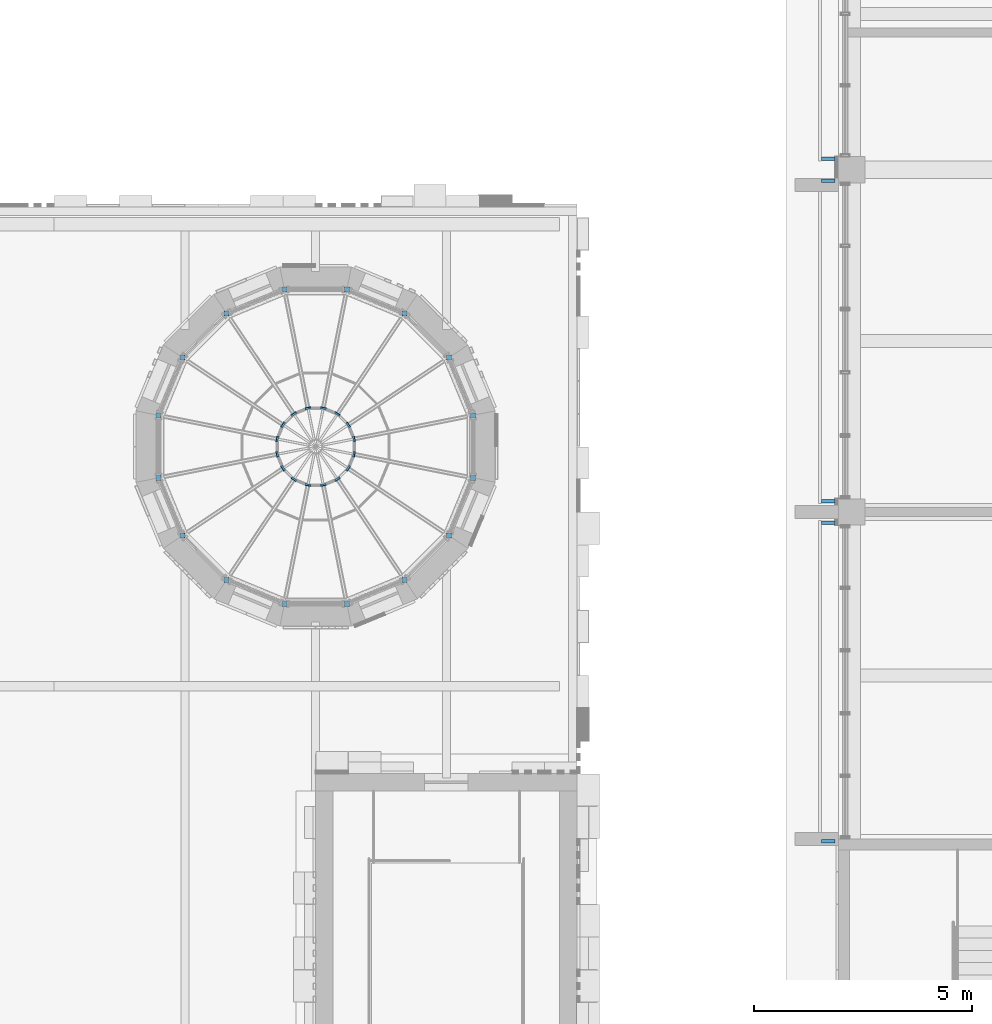
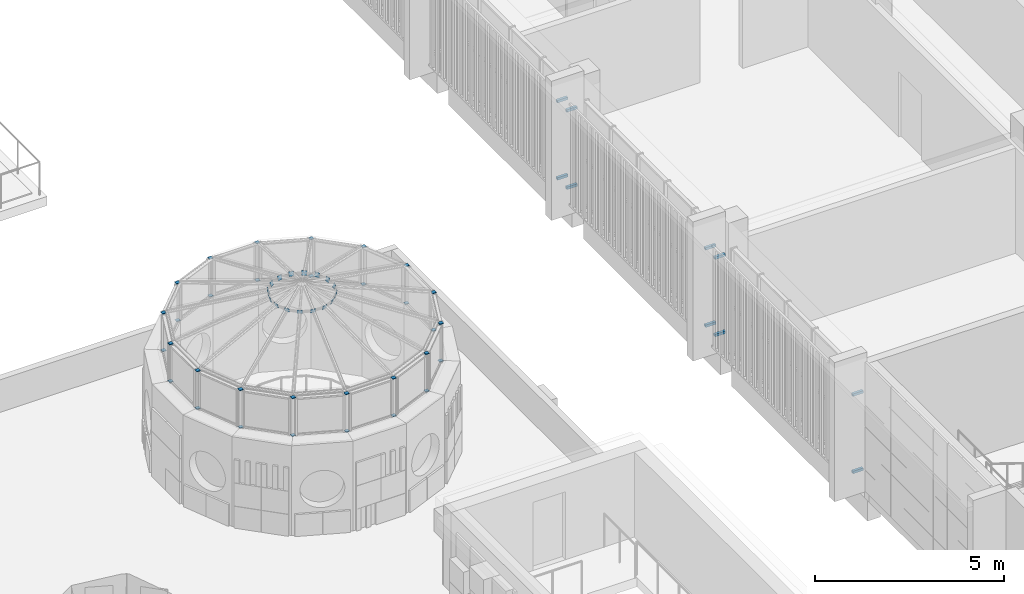
# One storey, part 61 of 98: 58 discrete accessories.
"""IFC4 building model written with IfcOpenShell, lengths in metres."""

from ifc_helpers import new_model, si_unit, direction, frame, origin, origin_2d, place, context, subcontext, project, spatial, rectangle, extrude, material, material_profile, profile_set, type_object, element, save


model = new_model("IFC4")

# Units and contexts
model_context = context("Model", 3, precision=1e-05, world=origin(), true_north=direction((0.0, 1.0)))
body_context = subcontext(model_context, "Body", "Model", "MODEL_VIEW")
ifc_project = project(units=[si_unit("LENGTHUNIT", "METRE"), si_unit("AREAUNIT", "SQUARE_METRE"), si_unit("VOLUMEUNIT", "CUBIC_METRE"), si_unit("PLANEANGLEUNIT", "RADIAN"), si_unit("MASSUNIT", "GRAM", prefix="KILO")], contexts=[model_context])

# Site, building, storey
site_placement = place(None, origin())
site = spatial("IfcSite", under=ifc_project, at=site_placement, CompositionType="ELEMENT")
building_placement = place(site_placement, origin())
building = spatial("IfcBuilding", under=site, at=building_placement, Name="Sun Court Science Centre", CompositionType="ELEMENT")
storey_placement = place(building_placement, frame((0.0, 0.0, 15.75)))
storey = spatial("IfcBuildingStorey", under=building, at=storey_placement, Name="L03", CompositionType="ELEMENT", Elevation=15.75)

# Discrete accessories
ifc_material_1 = material(Name="Steel S355", Category="steel")
discrete_accessory_type_1 = type_object("IfcDiscreteAccessoryType", Name="Hollow section end plate 20", PredefinedType="BRACKET", material=ifc_material_1)
for number, where, z_axis, x_axis, name in (
    (1, (69.607666015625, 23.217529296875, 3.030029296875), (0.0, 0.0, 1.0), (1.0, 0.0, 0.0), "Cone 6 clerestory post 1 end plate"),
    (2, (69.607666015625, 23.217529296875, 4.25), (0.0, 0.0, 1.0), (1.0, 0.0, 0.0), "Cone 6 clerestory post 1 end plate"),
    (3, (69.058349609375, 24.54345703125, 3.030029296875), (0.0, 0.0, 1.0), (1.0, 0.0, 0.0), "Cone 6 clerestory post 2 end plate"),
    (4, (69.058349609375, 24.54345703125, 4.25), (0.0, 0.0, 1.0), (1.0, 0.0, 0.0), "Cone 6 clerestory post 2 end plate"),
    (5, (68.04345703125, 25.558349609375, 3.030029296875), (0.0, 0.0, 1.0), (1.0, 0.0, 0.0), "Cone 6 clerestory post 3 end plate"),
    (6, (68.04345703125, 25.558349609375, 4.25), (0.0, 0.0, 1.0), (1.0, 0.0, 0.0), "Cone 6 clerestory post 3 end plate"),
    (7, (66.717529296875, 26.107666015625, 3.030029296875), (0.0, 0.0, 1.0), (1.0, 0.0, 0.0), "Cone 6 clerestory post 4 end plate"),
    (8, (66.717529296875, 26.107666015625, 4.25), (0.0, 0.0, 1.0), (1.0, 0.0, 0.0), "Cone 6 clerestory post 4 end plate"),
    (9, (65.282470703125, 26.107666015625, 3.030029296875), (0.0, 0.0, 1.0), (1.0, 0.0, 0.0), "Cone 6 clerestory post 5 end plate"),
    (10, (65.282470703125, 26.107666015625, 4.25), (0.0, 0.0, 1.0), (1.0, 0.0, 0.0), "Cone 6 clerestory post 5 end plate"),
    (11, (63.95654296875, 25.558349609375, 3.030029296875), (0.0, 0.0, 1.0), (1.0, 0.0, 0.0), "Cone 6 clerestory post 6 end plate"),
    (12, (63.95654296875, 25.558349609375, 4.25), (0.0, 0.0, 1.0), (1.0, 0.0, 0.0), "Cone 6 clerestory post 6 end plate"),
    (13, (62.941650390625, 24.54345703125, 3.030029296875), (0.0, 0.0, 1.0), (1.0, 0.0, 0.0), "Cone 6 clerestory post 7 end plate"),
    (14, (62.941650390625, 24.54345703125, 4.25), (0.0, 0.0, 1.0), (1.0, 0.0, 0.0), "Cone 6 clerestory post 7 end plate"),
    (15, (62.392333984375, 23.217529296875, 3.030029296875), (0.0, 0.0, 1.0), (1.0, 0.0, 0.0), "Cone 6 clerestory post 8 end plate"),
    (16, (62.392333984375, 23.217529296875, 4.25), (0.0, 0.0, 1.0), (1.0, 0.0, 0.0), "Cone 6 clerestory post 8 end plate"),
    (17, (62.392333984375, 21.782470703125, 3.030029296875), (0.0, 0.0, 1.0), (1.0, 0.0, 0.0), "Cone 6 clerestory post 9 end plate"),
    (18, (62.392333984375, 21.782470703125, 4.25), (0.0, 0.0, 1.0), (1.0, 0.0, 0.0), "Cone 6 clerestory post 9 end plate"),
    (19, (62.941650390625, 20.45654296875, 3.030029296875), (0.0, 0.0, 1.0), (1.0, 0.0, 0.0), "Cone 6 clerestory post 10 end plate"),
    (20, (62.941650390625, 20.45654296875, 4.25), (0.0, 0.0, 1.0), (1.0, 0.0, 0.0), "Cone 6 clerestory post 10 end plate"),
    (21, (63.95654296875, 19.441650390625, 3.030029296875), (0.0, 0.0, 1.0), (1.0, 0.0, 0.0), "Cone 6 clerestory post 11 end plate"),
    (22, (63.95654296875, 19.441650390625, 4.25), (0.0, 0.0, 1.0), (1.0, 0.0, 0.0), "Cone 6 clerestory post 11 end plate"),
    (23, (65.282470703125, 18.892333984375, 3.030029296875), (0.0, 0.0, 1.0), (1.0, 0.0, 0.0), "Cone 6 clerestory post 12 end plate"),
    (24, (65.282470703125, 18.892333984375, 4.25), (0.0, 0.0, 1.0), (1.0, 0.0, 0.0), "Cone 6 clerestory post 12 end plate"),
    (25, (66.717529296875, 18.892333984375, 3.030029296875), (0.0, 0.0, 1.0), (1.0, 0.0, 0.0), "Cone 6 clerestory post 13 end plate"),
    (26, (66.717529296875, 18.892333984375, 4.25), (0.0, 0.0, 1.0), (1.0, 0.0, 0.0), "Cone 6 clerestory post 13 end plate"),
    (27, (68.04345703125, 19.441650390625, 3.030029296875), (0.0, 0.0, 1.0), (1.0, 0.0, 0.0), "Cone 6 clerestory post 14 end plate"),
    (28, (68.04345703125, 19.441650390625, 4.25), (0.0, 0.0, 1.0), (1.0, 0.0, 0.0), "Cone 6 clerestory post 14 end plate"),
    (29, (69.058349609375, 20.45654296875, 3.030029296875), (0.0, 0.0, 1.0), (1.0, 0.0, 0.0), "Cone 6 clerestory post 15 end plate"),
    (30, (69.058349609375, 20.45654296875, 4.25), (0.0, 0.0, 1.0), (1.0, 0.0, 0.0), "Cone 6 clerestory post 15 end plate"),
    (31, (69.607666015625, 21.782470703125, 3.030029296875), (0.0, 0.0, 1.0), (1.0, 0.0, 0.0), "Cone 6 clerestory post 16 end plate"),
    (32, (69.607666015625, 21.782470703125, 4.25), (0.0, 0.0, 1.0), (1.0, 0.0, 0.0), "Cone 6 clerestory post 16 end plate"),
):
    element("IfcDiscreteAccessory", number, at=place(storey_placement, frame(where, z_axis=z_axis, x_axis=x_axis)), inside=storey, type_object=discrete_accessory_type_1, Name=name, PredefinedType="BRACKET", context=body_context, shape_type="SweptSolid", body=[
        extrude(rectangle(XDim=0.114013671875, YDim=0.114013671875, at=origin_2d()), origin(), (0.0, 0.0, 1.0), 0.02001953125),
    ])
ifc_material_2 = material(Name="Stainless steel", Category="steel")
discrete_accessory_type_2 = type_object("IfcDiscreteAccessoryType", Name="Jali screen bracket", PredefinedType="BRACKET", material=ifc_material_2)
for number, where, z_axis, x_axis, name in (
    (33, (77.760009765625, 13.449951171875, 0.659912109375), (0.0, 0.0, 1.0), (0.0, 1.0, 0.0), "Jali screen bracket west face L03 01"),
    (34, (77.760009765625, 20.75, 0.659912109375), (0.0, 0.0, 1.0), (0.0, 1.0, 0.0), "Jali screen bracket west face L03 01"),
    (35, (77.760009765625, 13.449951171875, 3.159912109375), (0.0, 0.0, 1.0), (0.0, 1.0, 0.0), "Jali screen bracket west face L03 01"),
    (36, (77.760009765625, 20.75, 3.159912109375), (0.0, 0.0, 1.0), (0.0, 1.0, 0.0), "Jali screen bracket west face L03 01"),
    (37, (77.760009765625, 21.25, 0.659912109375), (0.0, 0.0, 1.0), (0.0, 1.0, 0.0), "Jali screen bracket west face L03 02"),
    (38, (77.760009765625, 28.60009765625, 0.659912109375), (0.0, 0.0, 1.0), (0.0, 1.0, 0.0), "Jali screen bracket west face L03 02"),
    (39, (77.760009765625, 21.25, 3.159912109375), (0.0, 0.0, 1.0), (0.0, 1.0, 0.0), "Jali screen bracket west face L03 02"),
    (40, (77.760009765625, 28.60009765625, 3.159912109375), (0.0, 0.0, 1.0), (0.0, 1.0, 0.0), "Jali screen bracket west face L03 02"),
    (41, (77.760009765625, 29.10009765625, 0.659912109375), (0.0, 0.0, 1.0), (0.0, 1.0, 0.0), "Jali screen bracket west face L03 03"),
    (42, (77.760009765625, 29.10009765625, 3.159912109375), (0.0, 0.0, 1.0), (0.0, 1.0, 0.0), "Jali screen bracket west face L03 03"),
):
    element("IfcDiscreteAccessory", number, at=place(storey_placement, frame(where, z_axis=z_axis, x_axis=x_axis)), inside=storey, type_object=discrete_accessory_type_2, Name=name, PredefinedType="BRACKET", context=body_context, shape_type="SweptSolid", body=[
        extrude(rectangle(XDim=0.080078125, YDim=0.320068359375, at=origin_2d()), origin(), (0.0, 0.0, 1.0), 0.080078125),
    ])
ifc_material_3 = material(Name="Steel S355", Category="steel")
ifc_material_profile = material_profile(ifc_material_3, rectangle(XDim=0.139892578125, YDim=0.139892578125, at=origin_2d()), Name="PL 140x140")
ifc_profile_set = profile_set([ifc_material_profile], Name="Steel S355")
discrete_accessory_type_3 = type_object("IfcDiscreteAccessoryType", Name="Lantern node plate 140x140x12", PredefinedType="BRACKET", material=ifc_profile_set)
discrete_accessory_1_placement = place(storey_placement, frame((66.888427734375, 22.6767578125, 5.07958984375), z_axis=(-0.942643106241, -0.180506126727, 0.280787308242), x_axis=(0.188072270788, -0.982155191892, 0.0)))
element("IfcDiscreteAccessory", 43, at=discrete_accessory_1_placement, inside=storey, type_object=discrete_accessory_type_3, Name="Lantern node plate 81", PredefinedType="BRACKET", context=body_context, shape_type="SweptSolid", body=[
    extrude(rectangle(XDim=0.139892578125, YDim=0.139892578125, at=origin_2d()), origin(), (0.0, 0.0, 1.0), 0.01220703125),
])
for number, where, z_axis, x_axis, name in (
    (44, (66.753173828125, 23.003173828125, 5.07958984375), (-0.79724766826, -0.531498445507, 0.286191470658), (0.554700196225, -0.832050294338, 0.0), "Lantern node plate 82"),
    (45, (66.503173828125, 23.253173828125, 5.07958984375), (-0.531498445507, -0.79724766826, 0.286191470658), (0.832050294338, -0.554700196225, 0.0), "Lantern node plate 83"),
):
    element("IfcDiscreteAccessory", number, at=place(storey_placement, frame(where, z_axis=z_axis, x_axis=x_axis)), inside=storey, type_object=discrete_accessory_type_3, Name=name, PredefinedType="BRACKET", context=body_context, shape_type="SweptSolid", body=[
        extrude(rectangle(XDim=0.139892578125, YDim=0.139892578125, at=origin_2d()), origin(), (0.0, 0.0, 1.0), 0.011962890625),
    ])
for number, where, z_axis, x_axis, name in (
    (46, (66.1767578125, 23.388427734375, 5.07958984375), (-0.180506126727, -0.942643106241, 0.280787308242), (0.982155191892, -0.188072270788, 0.0), "Lantern node plate 84"),
    (47, (65.8232421875, 23.388427734375, 5.07958984375), (0.180506126727, -0.942643106241, 0.280787308242), (0.982155191892, 0.188072270788, 0.0), "Lantern node plate 85"),
):
    element("IfcDiscreteAccessory", number, at=place(storey_placement, frame(where, z_axis=z_axis, x_axis=x_axis)), inside=storey, type_object=discrete_accessory_type_3, Name=name, PredefinedType="BRACKET", context=body_context, shape_type="SweptSolid", body=[
        extrude(rectangle(XDim=0.139892578125, YDim=0.139892578125, at=origin_2d()), origin(), (0.0, 0.0, 1.0), 0.01220703125),
    ])
for number, where, z_axis, x_axis, name in (
    (48, (65.496826171875, 23.253173828125, 5.07958984375), (0.531498445507, -0.79724766826, 0.286191470658), (0.832050294338, 0.554700196225, 0.0), "Lantern node plate 86"),
    (49, (65.246826171875, 23.003173828125, 5.07958984375), (0.79724766826, -0.531498445507, 0.286191470658), (0.554700196225, 0.832050294338, 0.0), "Lantern node plate 87"),
):
    element("IfcDiscreteAccessory", number, at=place(storey_placement, frame(where, z_axis=z_axis, x_axis=x_axis)), inside=storey, type_object=discrete_accessory_type_3, Name=name, PredefinedType="BRACKET", context=body_context, shape_type="SweptSolid", body=[
        extrude(rectangle(XDim=0.139892578125, YDim=0.139892578125, at=origin_2d()), origin(), (0.0, 0.0, 1.0), 0.011962890625),
    ])
for number, where, z_axis, x_axis, name in (
    (50, (65.111572265625, 22.6767578125, 5.07958984375), (0.942643106241, -0.180506126727, 0.280787308242), (0.188072270788, 0.982155191892, 0.0), "Lantern node plate 88"),
    (51, (65.111572265625, 22.3232421875, 5.07958984375), (0.942643106241, 0.180506126727, 0.280787308242), (-0.188072270788, 0.982155191892, 0.0), "Lantern node plate 89"),
):
    element("IfcDiscreteAccessory", number, at=place(storey_placement, frame(where, z_axis=z_axis, x_axis=x_axis)), inside=storey, type_object=discrete_accessory_type_3, Name=name, PredefinedType="BRACKET", context=body_context, shape_type="SweptSolid", body=[
        extrude(rectangle(XDim=0.139892578125, YDim=0.139892578125, at=origin_2d()), origin(), (0.0, 0.0, 1.0), 0.01220703125),
    ])
for number, where, z_axis, x_axis, name in (
    (52, (65.246826171875, 21.996826171875, 5.07958984375), (0.79724766826, 0.531498445507, 0.286191470658), (-0.554700196225, 0.832050294338, 0.0), "Lantern node plate 90"),
    (53, (65.496826171875, 21.746826171875, 5.07958984375), (0.531498445507, 0.79724766826, 0.286191470658), (-0.832050294338, 0.554700196225, 0.0), "Lantern node plate 91"),
):
    element("IfcDiscreteAccessory", number, at=place(storey_placement, frame(where, z_axis=z_axis, x_axis=x_axis)), inside=storey, type_object=discrete_accessory_type_3, Name=name, PredefinedType="BRACKET", context=body_context, shape_type="SweptSolid", body=[
        extrude(rectangle(XDim=0.139892578125, YDim=0.139892578125, at=origin_2d()), origin(), (0.0, 0.0, 1.0), 0.011962890625),
    ])
for number, where, z_axis, x_axis, name in (
    (54, (65.8232421875, 21.611572265625, 5.07958984375), (0.180506126727, 0.942643106241, 0.280787308242), (-0.982155191892, 0.188072270788, 0.0), "Lantern node plate 92"),
    (55, (66.1767578125, 21.611572265625, 5.07958984375), (-0.180506126727, 0.942643106241, 0.280787308242), (-0.982155191892, -0.188072270788, 0.0), "Lantern node plate 93"),
):
    element("IfcDiscreteAccessory", number, at=place(storey_placement, frame(where, z_axis=z_axis, x_axis=x_axis)), inside=storey, type_object=discrete_accessory_type_3, Name=name, PredefinedType="BRACKET", context=body_context, shape_type="SweptSolid", body=[
        extrude(rectangle(XDim=0.139892578125, YDim=0.139892578125, at=origin_2d()), origin(), (0.0, 0.0, 1.0), 0.01220703125),
    ])
for number, where, z_axis, x_axis, name in (
    (56, (66.503173828125, 21.746826171875, 5.07958984375), (-0.531498445507, 0.79724766826, 0.286191470658), (-0.832050294338, -0.554700196225, 0.0), "Lantern node plate 94"),
    (57, (66.753173828125, 21.996826171875, 5.07958984375), (-0.79724766826, 0.531498445507, 0.286191470658), (-0.554700196225, -0.832050294338, 0.0), "Lantern node plate 95"),
):
    element("IfcDiscreteAccessory", number, at=place(storey_placement, frame(where, z_axis=z_axis, x_axis=x_axis)), inside=storey, type_object=discrete_accessory_type_3, Name=name, PredefinedType="BRACKET", context=body_context, shape_type="SweptSolid", body=[
        extrude(rectangle(XDim=0.139892578125, YDim=0.139892578125, at=origin_2d()), origin(), (0.0, 0.0, 1.0), 0.011962890625),
    ])
discrete_accessory_2_placement = place(storey_placement, frame((66.888427734375, 22.3232421875, 5.07958984375), z_axis=(-0.942643106241, 0.180506126727, 0.280787308242), x_axis=(-0.188072270788, -0.982155191892, 0.0)))
element("IfcDiscreteAccessory", 58, at=discrete_accessory_2_placement, inside=storey, type_object=discrete_accessory_type_3, Name="Lantern node plate 96", PredefinedType="BRACKET", context=body_context, shape_type="SweptSolid", body=[
    extrude(rectangle(XDim=0.139892578125, YDim=0.139892578125, at=origin_2d()), origin(), (0.0, 0.0, 1.0), 0.01220703125),
])

save(model, "model.ifc")
